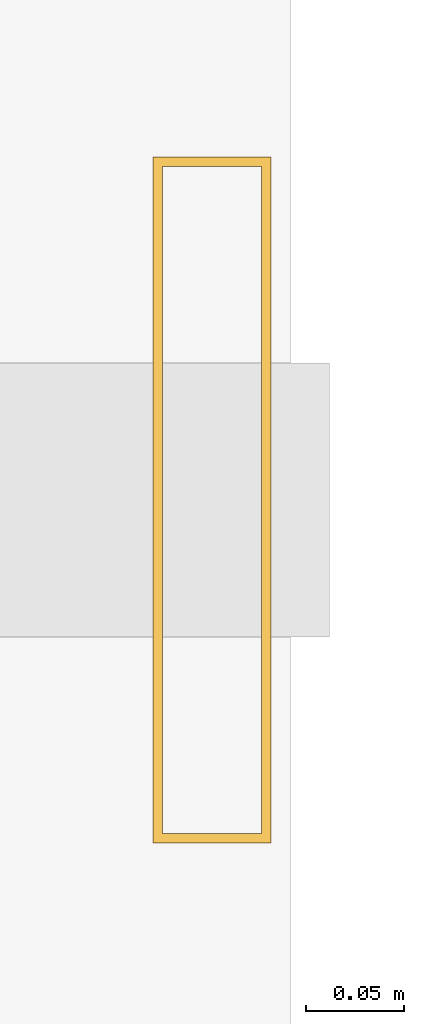
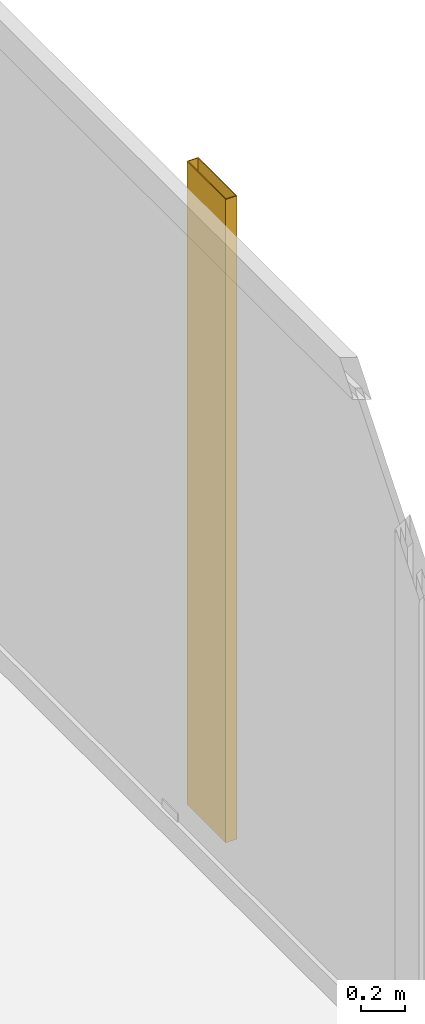
# One storey, part 26 of 26: 1 shading device.
"""IFC4 building model written with IfcOpenShell, lengths in metres."""

from ifc_helpers import new_model, si_unit, direction, frame, origin, origin_2d, place, context, subcontext, project, spatial, hollow_rectangle, extrude, material, material_profile, profile_set, type_object, element, save


model = new_model("IFC4")

# Units and contexts
model_context = context("Model", 3, precision=1e-05, world=origin(), true_north=direction((0.0, 1.0)))
body_context = subcontext(model_context, "Body", "Model", "MODEL_VIEW")
ifc_project = project(units=[si_unit("LENGTHUNIT", "METRE"), si_unit("AREAUNIT", "SQUARE_METRE"), si_unit("VOLUMEUNIT", "CUBIC_METRE"), si_unit("PLANEANGLEUNIT", "RADIAN"), si_unit("MASSUNIT", "GRAM", prefix="KILO")], contexts=[model_context])

# Site, building, storey
site_placement = place(None, origin())
site = spatial("IfcSite", under=ifc_project, at=site_placement, CompositionType="ELEMENT")
building_placement = place(site_placement, origin())
building = spatial("IfcBuilding", under=site, at=building_placement, Name="Kolvaren Waterfront Exchange", CompositionType="ELEMENT")
storey_placement = place(building_placement, frame((0.0, 0.0, 87.89990234375)))
storey = spatial("IfcBuildingStorey", under=building, at=storey_placement, Name="L22", CompositionType="ELEMENT", Elevation=87.89990234375)

# Shading device
ifc_material = material(Name="Anodised bronze aluminium 6063-T6", Category="aluminium")
ifc_material_profile = material_profile(ifc_material, hollow_rectangle(XDim=0.06005859375, YDim=0.35009765625, WallThickness=0.0048828125, at=origin_2d()), Name="BRZ-FIN-350x60x5")
ifc_profile_set = profile_set([ifc_material_profile], Name="Anodised bronze aluminium 6063-T6")
shading_device_type = type_object("IfcShadingDeviceType", Name="ARC-FIN-350", PredefinedType="USERDEFINED", material=ifc_profile_set)
shading_device_placement = place(storey_placement, frame((23.9599609375, 38.39990234375, 0.0), z_axis=(0.0, 0.0, 1.0), x_axis=(1.0, 0.0, 0.0)))
element("IfcShadingDevice", 1, at=shading_device_placement, inside=storey, type_object=shading_device_type, Name="L22 anodised bronze solar shading fin FIN-L22-E3", ObjectType="SOLAR FIN", PredefinedType="USERDEFINED", context=body_context, shape_type="SweptSolid", body=[
    extrude(hollow_rectangle(XDim=0.06005859375, YDim=0.35009765625, WallThickness=0.0048828125, at=origin_2d()), origin(), (0.0, 0.0, 1.0), 3.5400390625),
])

save(model, "model.ifc")
